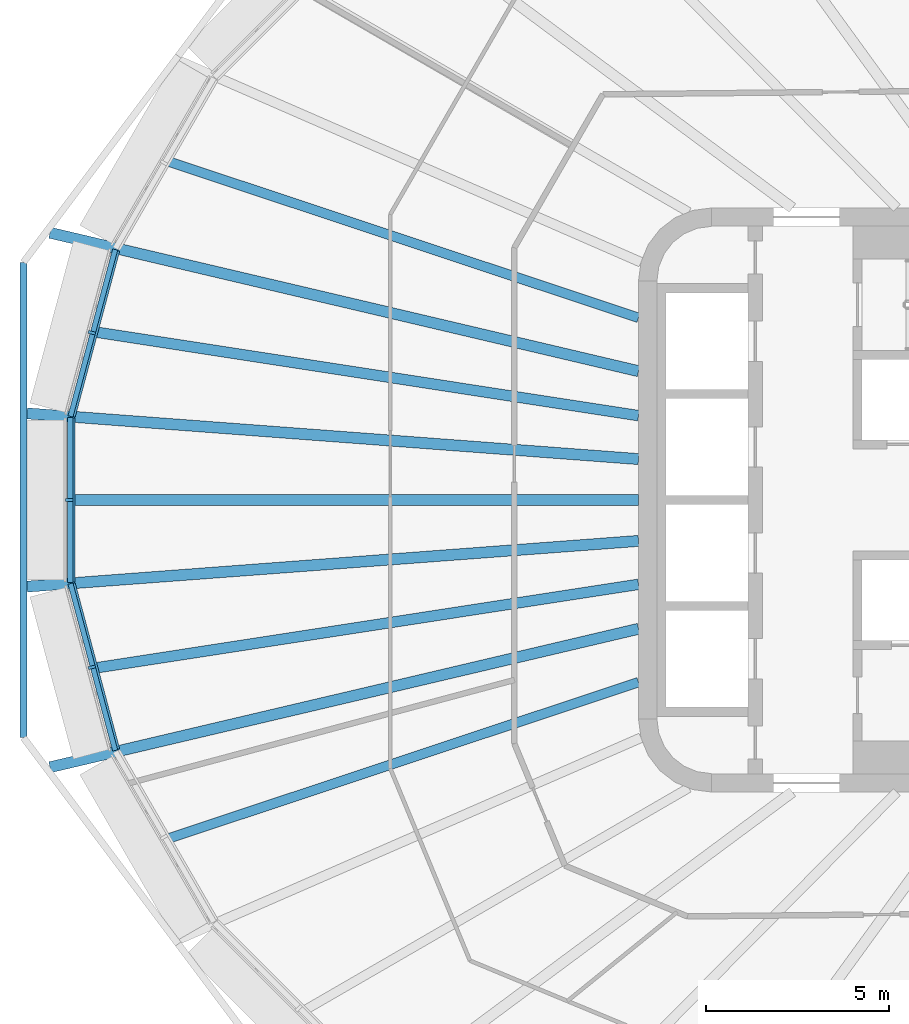
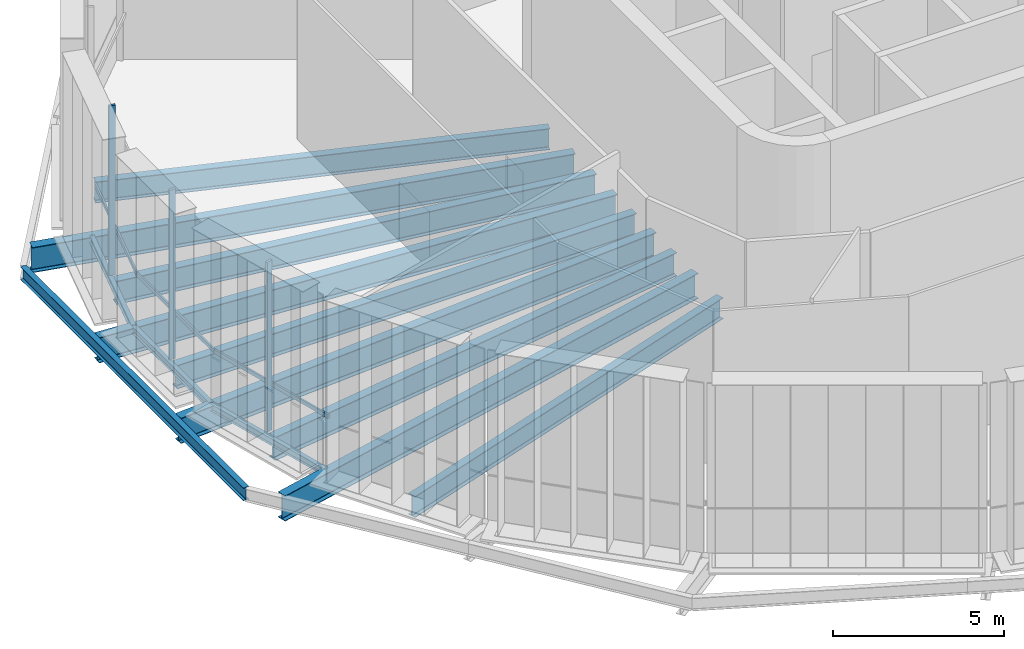
# One storey, part 2 of 18: 13 beams, 6 members, 3 elements without a shape of their own.
"""IFC4 building model written with IfcOpenShell, lengths in metres."""

import ifcopenshell
import ifcopenshell.guid

model = None  # the IFC model being written
_history = None  # IfcOwnerHistory: only IFC2X3 demands one
_inside = {}  # id of a spatial element -> (the spatial element, [elements in it])
_under = {}  # id of a project, library or spatial element -> (it, [spatial elements below it])
_declared = {}  # id of a project -> (the project, [libraries it declares])
_typed = {}  # id of a type object -> (the type object, [elements of that type])
_made_of = {}  # id of a material, layer set ... -> (it, [elements and type objects made of it])


def new_model(schema):
    """Start an empty IFC model of exactly this schema.

    Asked for "IFC4X3", IfcOpenShell would pick the latest addendum, in which some entities
    have other attributes; the version numbers below select the first issue.
    IFC2X3 requires an IfcOwnerHistory on every rooted entity: one is made here for all.
    """
    global model, _history
    if schema == "IFC4X3":
        model = ifcopenshell.file(schema_version=(4, 3, 0, 0))
    else:
        model = ifcopenshell.file(schema=schema)
    _inside.clear()
    _under.clear()
    _declared.clear()
    _typed.clear()
    _made_of.clear()
    _history = None
    if model.schema == "IFC2X3":
        org = make("IfcOrganization", Name="unknown")
        user = make(
            "IfcPersonAndOrganization",
            ThePerson=make("IfcPerson", FamilyName="unknown"),
            TheOrganization=org,
        )
        app = make(
            "IfcApplication",
            ApplicationDeveloper=org,
            Version="unknown",
            ApplicationFullName="unknown",
            ApplicationIdentifier="unknown",
        )
        _history = make(
            "IfcOwnerHistory",
            OwningUser=user,
            OwningApplication=app,
            ChangeAction="ADDED",
            CreationDate=0,
        )
    return model


def make(cls, **values):
    """One entity of the class cls with the attributes given. An attribute that is None is left unset."""
    return model.create_entity(
        cls, **{name: value for name, value in values.items() if value is not None}
    )


def rooted(cls, **values):
    """An entity with a GlobalId (a new one), such as an element, a storey or a relation."""
    return make(cls, GlobalId=ifcopenshell.guid.new(), OwnerHistory=_history, **values)


def si_unit(unit_type, name, prefix=None):
    """IfcSIUnit, for example si_unit("LENGTHUNIT", "METRE", prefix="MILLI")."""
    return make("IfcSIUnit", UnitType=unit_type, Prefix=prefix, Name=name)


def assignment(units):
    """IfcUnitAssignment: the units of a project."""
    return None if units is None else make("IfcUnitAssignment", Units=units)


def point(xyz):
    """IfcCartesianPoint."""
    return None if xyz is None else make("IfcCartesianPoint", Coordinates=xyz)


def direction(xyz):
    """IfcDirection."""
    return None if xyz is None else make("IfcDirection", DirectionRatios=xyz)


def frame(location, z_axis=None, x_axis=None):
    """IfcAxis2Placement3D, a coordinate frame: its origin and axes. An axis left out is left unset."""
    return make(
        "IfcAxis2Placement3D",
        Location=point(location),
        Axis=direction(z_axis),
        RefDirection=direction(x_axis),
    )


def frame_2d(location, x_axis=None):
    """IfcAxis2Placement2D, a coordinate frame in the plane: its origin and x axis."""
    return make(
        "IfcAxis2Placement2D", Location=point(location), RefDirection=direction(x_axis)
    )


def origin():
    """The frame at (0, 0, 0) with its axes left unset."""
    return frame((0.0, 0.0, 0.0))


def origin_2d():
    """The frame at (0, 0) in the plane with its x axis left unset."""
    return frame_2d((0.0, 0.0))


def place(relative_to, where):
    """IfcLocalPlacement: puts the frame where relative to a parent placement (None: the world)."""
    return make(
        "IfcLocalPlacement", PlacementRelTo=relative_to, RelativePlacement=where
    )


def context(
    kind, dimensions, precision=None, world=None, true_north=None, identifier=None
):
    """IfcGeometricRepresentationContext, for example the 3D "Model" context."""
    return make(
        "IfcGeometricRepresentationContext",
        ContextIdentifier=identifier,
        ContextType=kind,
        CoordinateSpaceDimension=dimensions,
        Precision=precision,
        WorldCoordinateSystem=world,
        TrueNorth=true_north,
    )


def subcontext(parent, identifier, kind, view, scale=None):
    """IfcGeometricRepresentationSubContext, for example "Body" below "Model"."""
    return make(
        "IfcGeometricRepresentationSubContext",
        ContextIdentifier=identifier,
        ContextType=kind,
        ParentContext=parent,
        TargetScale=scale,
        TargetView=view,
    )


def project(units=None, contexts=None):
    """IfcProject with its units and contexts."""
    return rooted(
        "IfcProject",
        Name="project",
        RepresentationContexts=contexts,
        UnitsInContext=assignment(units),
    )


def spatial(cls, under=None, at=None, **own):
    """A site, building, storey or space (cls), placed at a placement, below another one or the project."""
    s = rooted(cls, ObjectPlacement=at, **own)
    if under is not None:
        _under.setdefault(under.id(), (under, []))[1].append(s)
    return s


def profile(cls, at=None, kind="AREA", **sizes):
    """A parametric profile (cls). Its sizes go by their IFC names, for example OverallWidth=200.0."""
    return make(cls, ProfileType=kind, Position=at, **sizes)


def rectangle(**sizes):
    """IfcRectangleProfileDef."""
    return profile("IfcRectangleProfileDef", **sizes)


def i_section(**sizes):
    """IfcIShapeProfileDef."""
    return profile("IfcIShapeProfileDef", **sizes)


def extrude(swept, where, along, depth):
    """IfcExtrudedAreaSolid: the profile swept, set in the frame where, extruded along a direction by depth."""
    return make(
        "IfcExtrudedAreaSolid",
        SweptArea=swept,
        Position=where,
        ExtrudedDirection=direction(along),
        Depth=depth,
    )


def shape(context_of_items, identifier, shape_type, items):
    """IfcShapeRepresentation: the items that make up one representation, for example the "Body"."""
    return make(
        "IfcShapeRepresentation",
        ContextOfItems=context_of_items,
        RepresentationIdentifier=identifier,
        RepresentationType=shape_type,
        Items=items,
    )


def material(Name=None, Category=None):
    """IfcMaterial."""
    return make("IfcMaterial", Name=Name, Category=Category)


def layer(
    of_material, thickness, ventilated=None, Name=None, Category=None, Priority=None
):
    """IfcMaterialLayer: one layer of a wall or slab, of a material (None: an air gap)."""
    return make(
        "IfcMaterialLayer",
        Material=of_material,
        LayerThickness=thickness,
        IsVentilated=ventilated,
        Name=Name,
        Category=Category,
        Priority=Priority,
    )


def layer_set(layers, Name=None):
    """IfcMaterialLayerSet."""
    return make("IfcMaterialLayerSet", MaterialLayers=layers, LayerSetName=Name)


def material_profile(
    of_material, cross_section, Name=None, Category=None, Priority=None
):
    """IfcMaterialProfile: a cross section and its material."""
    return make(
        "IfcMaterialProfile",
        Name=Name,
        Material=of_material,
        Profile=cross_section,
        Priority=Priority,
        Category=Category,
    )


def profile_set(profiles, Name=None, composite=None):
    """IfcMaterialProfileSet."""
    return make(
        "IfcMaterialProfileSet",
        Name=Name,
        MaterialProfiles=profiles,
        CompositeProfile=composite,
    )


def made_of(thing, what):
    """Note that an element or type object is made of a material, layer set ...; save() writes the relation."""
    if what is not None:
        _made_of.setdefault(what.id(), (what, []))[1].append(thing)
    return thing


def type_object(cls, material=None, **own):
    """A type object (cls), such as IfcWallType, which elements share."""
    return made_of(rooted(cls, **own), material)


def element(
    cls,
    number,
    at=None,
    inside=None,
    cuts=None,
    type_object=None,
    material=None,
    context=None,
    identifier="Body",
    shape_type=None,
    held_by="IfcProductDefinitionShape",
    body=None,
    shapes=None,
    **own,
):
    """One element of the class cls, such as IfcWall. Its Tag is "e" and its number.

    at: its placement. inside: the storey or other place that contains it. cuts: it is an
    opening in that element (IfcRelVoidsElement). A single representation is given by context,
    identifier, shape_type and body (its items); several are given by shapes. held_by: the class
    of the entity that holds the representations. save() writes the other relations.
    """
    e = rooted(cls, Tag="e%d" % number, ObjectPlacement=at, **own)
    if body is not None:
        shapes = [shape(context, identifier, shape_type, body)]
    if shapes is not None:
        e.Representation = make(held_by, Representations=shapes)
    if inside is not None:
        _inside.setdefault(inside.id(), (inside, []))[1].append(e)
    if cuts is not None:
        rooted(
            "IfcRelVoidsElement", RelatingBuildingElement=cuts, RelatedOpeningElement=e
        )
    if type_object is not None:
        _typed.setdefault(type_object.id(), (type_object, []))[1].append(e)
    return made_of(e, material)


def aggregate(whole, parts):
    """IfcRelAggregates: a whole, such as a stair, and the parts it consists of."""
    return rooted("IfcRelAggregates", RelatingObject=whole, RelatedObjects=parts)


def save(model, path):
    """Write the relations noted so far, then the file.

    IfcRelAggregates (storeys below a building ...), IfcRelContainedInSpatialStructure (elements
    in a storey), IfcRelDefinesByType, IfcRelAssociatesMaterial and IfcRelDeclares: one each for
    every whole, place, type object, material and project.
    """
    for whole, parts in _under.values():
        aggregate(whole, parts)
    for where, things in _inside.values():
        rooted(
            "IfcRelContainedInSpatialStructure",
            RelatedElements=things,
            RelatingStructure=where,
        )
    for kind, things in _typed.values():
        rooted("IfcRelDefinesByType", RelatedObjects=things, RelatingType=kind)
    for what, things in _made_of.values():
        rooted("IfcRelAssociatesMaterial", RelatedObjects=things, RelatingMaterial=what)
    for by, libraries in _declared.values():
        rooted("IfcRelDeclares", RelatingContext=by, RelatedDefinitions=libraries)
    model.write(path)


model = new_model("IFC4")

# Units and contexts
model_context = context("Model", 3, precision=1e-05, world=origin(), true_north=direction((0.0, 1.0)))
body_context = subcontext(model_context, "Body", "Model", "MODEL_VIEW")
ifc_project = project(units=[si_unit("LENGTHUNIT", "METRE"), si_unit("AREAUNIT", "SQUARE_METRE"), si_unit("VOLUMEUNIT", "CUBIC_METRE"), si_unit("PLANEANGLEUNIT", "RADIAN"), si_unit("MASSUNIT", "GRAM", prefix="KILO")], contexts=[model_context])

# Site, building, storey
site_placement = place(None, origin())
site = spatial("IfcSite", under=ifc_project, at=site_placement, CompositionType="ELEMENT")
building_placement = place(site_placement, origin())
building = spatial("IfcBuilding", under=site, at=building_placement, Name="Sahrelin Media Tower", CompositionType="ELEMENT")
storey_placement = place(building_placement, frame((0.0, 0.0, 203.0)))
storey = spatial("IfcBuildingStorey", under=building, at=storey_placement, Name="L43", CompositionType="ELEMENT", Elevation=203.0)

# Beams
ifc_material_1 = material(Name="Steel S355", Category="steel")
ifc_material_profile_1 = material_profile(ifc_material_1, i_section(OverallWidth=0.14599609375, OverallDepth=0.25146484375, WebThickness=0.006103515625, FlangeThickness=0.008544921875, FilletRadius=0.007568359375, at=origin_2d()), Name="UB 254x146x31")
ifc_profile_set_1 = profile_set([ifc_material_profile_1], Name="Steel S355")
beam_type_1 = type_object("IfcBeamType", Name="Edge beam EB1", PredefinedType="BEAM", material=ifc_profile_set_1)
beam_1_placement = place(storey_placement, frame((-29.33447265625, -6.860107421875, -0.32568359375), z_axis=(-0.258792820704, 0.965932852714, 0.0), x_axis=(-0.965932852714, -0.258792820704, 0.0)))
element("IfcBeam", 1, at=beam_1_placement, inside=storey, type_object=beam_type_1, Name="Edge beam L43-12", PredefinedType="BEAM", context=body_context, shape_type="SweptSolid", body=[
    extrude(i_section(OverallWidth=0.14599609375, OverallDepth=0.25146484375, WebThickness=0.006103515625, FlangeThickness=0.008544921875, FilletRadius=0.007568359375, at=origin_2d()), origin(), (0.0, 0.0, 1.0), 4.73193359375),
])
beam_2_placement = place(storey_placement, frame((-30.56298828125, -2.2607421875, -0.32568359375), z_axis=(0.0, 1.0, 0.0), x_axis=(-1.0, 0.0, 0.0)))
element("IfcBeam", 2, at=beam_2_placement, inside=storey, type_object=beam_type_1, Name="Edge beam L43-13", PredefinedType="BEAM", context=body_context, shape_type="SweptSolid", body=[
    extrude(i_section(OverallWidth=0.14599609375, OverallDepth=0.25146484375, WebThickness=0.006103515625, FlangeThickness=0.008544921875, FilletRadius=0.007568359375, at=origin_2d()), origin(), (0.0, 0.0, 1.0), 4.521484375),
])
beam_3_placement = place(storey_placement, frame((-30.55908203125, 2.289306640625, -0.32568359375), z_axis=(0.258792820704, 0.965932852714, 0.0), x_axis=(-0.965932852714, 0.258792820704, 0.0)))
element("IfcBeam", 3, at=beam_3_placement, inside=storey, type_object=beam_type_1, Name="Edge beam L43-14", PredefinedType="BEAM", context=body_context, shape_type="SweptSolid", body=[
    extrude(i_section(OverallWidth=0.14599609375, OverallDepth=0.25146484375, WebThickness=0.006103515625, FlangeThickness=0.008544921875, FilletRadius=0.007568359375, at=origin_2d()), origin(), (0.0, 0.0, 1.0), 4.73193359375),
])

# Curtain wall, member
ifc_material_2 = material(Name="Champagne anodised aluminium 6063-T6", Category="aluminium")
ifc_layer = layer(ifc_material_2, 0.14990234375)
ifc_layer_set = layer_set([ifc_layer], Name="Sky lobby curtain wall")
curtain_wall_type = type_object("IfcCurtainWallType", Name="Sky lobby curtain wall", PredefinedType="NOTDEFINED", material=ifc_layer_set)
curtain_wall_1_placement = place(storey_placement, frame((-30.091796875, 4.613525390625, 0.0), z_axis=(0.0, 0.0, 1.0), x_axis=(1.0, 0.0, 0.0)))
curtain_wall_1 = element("IfcCurtainWall", 4, at=curtain_wall_1_placement, inside=storey, type_object=curtain_wall_type, Name="L43:CW:L43-11", PredefinedType="NOTDEFINED")
ifc_material_profile_2 = material_profile(ifc_material_2, rectangle(XDim=0.080078125, YDim=0.199951171875, at=origin_2d()), Name="Mullion 80x200")
ifc_profile_set_2 = profile_set([ifc_material_profile_2], Name="Champagne anodised aluminium 6063-T6")
member_type_1 = type_object("IfcMemberType", Name="Mullion 80x200 CW2", PredefinedType="MULLION", material=ifc_profile_set_2)
member_1_placement = place(storey_placement, frame((-29.975830078125, 4.58251953125, 0.0), z_axis=(0.0, 0.0, 1.0), x_axis=(-0.258822416818, -0.965924922834, 0.0)))
member_1 = element("IfcMember", 5, at=member_1_placement, type_object=member_type_1, Name="L43:CWM:L43-11", PredefinedType="MULLION", context=body_context, shape_type="SweptSolid", body=[
    extrude(rectangle(XDim=0.080078125, YDim=0.199951171875, at=origin_2d()), origin(), (0.0, 0.0, 1.0), 6.048583984375),
])

curtain_wall_2_placement = place(storey_placement, frame((-30.712890625, 0.0, 0.0), z_axis=(0.0, 0.0, 1.0), x_axis=(1.0, 0.0, 0.0)))
curtain_wall_2 = element("IfcCurtainWall", 6, at=curtain_wall_2_placement, inside=storey, type_object=curtain_wall_type, Name="L43:CW:L43-12", PredefinedType="NOTDEFINED")
member_2_placement = place(storey_placement, frame((-30.593017578125, 0.0, 0.0), z_axis=(0.0, 0.0, 1.0), x_axis=(0.0, -1.0, 0.0)))
member_2 = element("IfcMember", 7, at=member_2_placement, type_object=member_type_1, Name="L43:CWM:L43-12", PredefinedType="MULLION", context=body_context, shape_type="SweptSolid", body=[
    extrude(rectangle(XDim=0.080078125, YDim=0.199951171875, at=origin_2d()), origin(), (0.0, 0.0, 1.0), 6.048583984375),
])

curtain_wall_3_placement = place(storey_placement, frame((-30.091796875, -4.613525390625, 0.0), z_axis=(0.0, 0.0, 1.0), x_axis=(1.0, 0.0, 0.0)))
curtain_wall_3 = element("IfcCurtainWall", 8, at=curtain_wall_3_placement, inside=storey, type_object=curtain_wall_type, Name="L43:CW:L43-13", PredefinedType="NOTDEFINED")
member_3_placement = place(storey_placement, frame((-29.975830078125, -4.58251953125, 0.0), z_axis=(0.0, 0.0, 1.0), x_axis=(0.258822416818, -0.965924922834, 0.0)))
member_3 = element("IfcMember", 9, at=member_3_placement, type_object=member_type_1, Name="L43:CWM:L43-13", PredefinedType="MULLION", context=body_context, shape_type="SweptSolid", body=[
    extrude(rectangle(XDim=0.080078125, YDim=0.199951171875, at=origin_2d()), origin(), (0.0, 0.0, 1.0), 6.048583984375),
])

# Beams
ifc_material_profile_3 = material_profile(ifc_material_1, i_section(OverallWidth=0.30322265625, OverallDepth=0.903076171875, WebThickness=0.01513671875, FlangeThickness=0.020263671875, FilletRadius=0.01904296875, at=origin_2d()), Name="UB 914x305x201")
ifc_profile_set_3 = profile_set([ifc_material_profile_3], Name="Steel S355")
beam_type_2 = type_object("IfcBeamType", Name="Radial primary beam PB11", PredefinedType="BEAM", material=ifc_profile_set_3)
beam_4_placement = place(storey_placement, frame((-15.0, 3.5283203125, -0.651611328125), z_axis=(-0.973430699068, 0.228981820484, 0.0), x_axis=(-0.228981820484, -0.973430699068, 0.0)))
element("IfcBeam", 10, at=beam_4_placement, inside=storey, type_object=beam_type_2, Name="Radial beam L43-11", PredefinedType="BEAM", context=body_context, shape_type="SweptSolid", body=[
    extrude(i_section(OverallWidth=0.30322265625, OverallDepth=0.903076171875, WebThickness=0.01513671875, FlangeThickness=0.020263671875, FilletRadius=0.01904296875, at=origin_2d()), origin(), (0.0, 0.0, 1.0), 16.562255859375),
])
for number, where, z_axis, x_axis, name in (
    (11, (-15.0, 1.120849609375, -0.651611328125), (-0.997219244381, 0.074523678357, 0.0), (-0.074523678357, -0.997219244381, 0.0), "Radial beam L43-12"),
    (12, (-15.0, -1.120849609375, -0.651611328125), (-0.997219244381, -0.074523678357, 0.0), (0.074523678357, -0.997219244381, 0.0), "Radial beam L43-13"),
):
    element("IfcBeam", number, at=place(storey_placement, frame(where, z_axis=z_axis, x_axis=x_axis)), inside=storey, type_object=beam_type_2, Name=name, PredefinedType="BEAM", context=body_context, shape_type="SweptSolid", body=[
        extrude(i_section(OverallWidth=0.30322265625, OverallDepth=0.903076171875, WebThickness=0.01513671875, FlangeThickness=0.020263671875, FilletRadius=0.01904296875, at=origin_2d()), origin(), (0.0, 0.0, 1.0), 16.79931640625),
    ])
beam_5_placement = place(storey_placement, frame((-15.0, -3.5283203125, -0.651611328125), z_axis=(-0.973430699068, -0.228981820484, 0.0), x_axis=(0.228981820484, -0.973430699068, 0.0)))
element("IfcBeam", 13, at=beam_5_placement, inside=storey, type_object=beam_type_2, Name="Radial beam L43-14", PredefinedType="BEAM", context=body_context, shape_type="SweptSolid", body=[
    extrude(i_section(OverallWidth=0.30322265625, OverallDepth=0.903076171875, WebThickness=0.01513671875, FlangeThickness=0.020263671875, FilletRadius=0.01904296875, at=origin_2d()), origin(), (0.0, 0.0, 1.0), 16.562255859375),
])
ifc_material_profile_4 = material_profile(ifc_material_1, i_section(OverallWidth=0.291748046875, OverallDepth=0.8349609375, WebThickness=0.013916015625, FlangeThickness=0.018798828125, FilletRadius=0.017822265625, at=origin_2d()), Name="UB 838x292x176")
ifc_profile_set_4 = profile_set([ifc_material_profile_4], Name="Steel S355")
beam_type_3 = type_object("IfcBeamType", Name="Radial secondary beam SB10", PredefinedType="BEAM", material=ifc_profile_set_4)
beam_6_placement = place(storey_placement, frame((-15.0, 2.31005859375, -0.617431640625), z_axis=(-0.98834747674, 0.152214536829, 0.0), x_axis=(-0.152214536829, -0.98834747674, 0.0)))
element("IfcBeam", 14, at=beam_6_placement, inside=storey, type_object=beam_type_3, Name="Secondary beam L43-11", PredefinedType="BEAM", context=body_context, shape_type="SweptSolid", body=[
    extrude(i_section(OverallWidth=0.291748046875, OverallDepth=0.8349609375, WebThickness=0.013916015625, FlangeThickness=0.018798828125, FilletRadius=0.017822265625, at=origin_2d()), origin(), (0.0, 0.0, 1.0), 15.0400390625),
])
beam_7_placement = place(storey_placement, frame((-15.0, 0.0, -0.617431640625), z_axis=(-1.0, 0.0, 0.0), x_axis=(0.0, -1.0, 0.0)))
element("IfcBeam", 15, at=beam_7_placement, inside=storey, type_object=beam_type_3, Name="Secondary beam L43-12", PredefinedType="BEAM", context=body_context, shape_type="SweptSolid", body=[
    extrude(i_section(OverallWidth=0.291748046875, OverallDepth=0.8349609375, WebThickness=0.013916015625, FlangeThickness=0.018798828125, FilletRadius=0.017822265625, at=origin_2d()), origin(), (0.0, 0.0, 1.0), 15.489990234375),
])
beam_8_placement = place(storey_placement, frame((-15.0, -2.31005859375, -0.617431640625), z_axis=(-0.98834747674, -0.152214536829, 0.0), x_axis=(0.152214536829, -0.98834747674, 0.0)))
element("IfcBeam", 16, at=beam_8_placement, inside=storey, type_object=beam_type_3, Name="Secondary beam L43-13", PredefinedType="BEAM", context=body_context, shape_type="SweptSolid", body=[
    extrude(i_section(OverallWidth=0.291748046875, OverallDepth=0.8349609375, WebThickness=0.013916015625, FlangeThickness=0.018798828125, FilletRadius=0.017822265625, at=origin_2d()), origin(), (0.0, 0.0, 1.0), 15.0400390625),
])
ifc_material_profile_5 = material_profile(ifc_material_1, i_section(OverallWidth=0.26513671875, OverallDepth=0.75390625, WebThickness=0.0126953125, FlangeThickness=0.017578125, FilletRadius=0.0166015625, at=origin_2d()), Name="UB 762x267x147")
ifc_profile_set_5 = profile_set([ifc_material_profile_5], Name="Steel S355")
beam_type_4 = type_object("IfcBeamType", Name="Radial secondary beam SB9", PredefinedType="BEAM", material=ifc_profile_set_5)
for number, where, z_axis, x_axis, name in (
    (17, (-15.0, 4.989990234375, -0.576904296875), (-0.948875953334, 0.315649212236, 0.0), (-0.315649212236, -0.948875953334, 0.0), "Secondary beam L43-10"),
    (18, (-15.0, -4.989990234375, -0.576904296875), (-0.948875953334, -0.315649212236, 0.0), (0.315649212236, -0.948875953334, 0.0), "Secondary beam L43-14"),
):
    element("IfcBeam", number, at=place(storey_placement, frame(where, z_axis=z_axis, x_axis=x_axis)), inside=storey, type_object=beam_type_4, Name=name, PredefinedType="BEAM", context=body_context, shape_type="SweptSolid", body=[
        extrude(i_section(OverallWidth=0.26513671875, OverallDepth=0.75390625, WebThickness=0.0126953125, FlangeThickness=0.017578125, FilletRadius=0.0166015625, at=origin_2d()), origin(), (0.0, 0.0, 1.0), 13.547119140625),
    ])
ifc_material_profile_6 = material_profile(ifc_material_1, i_section(OverallWidth=0.1904296875, OverallDepth=0.45703125, WebThickness=0.009033203125, FlangeThickness=0.014404296875, FilletRadius=0.01025390625, at=origin_2d()), Name="UB 457x191x74")
ifc_profile_set_6 = profile_set([ifc_material_profile_6], Name="Steel S355")
beam_type_5 = type_object("IfcBeamType", Name="Tie chord TC5", PredefinedType="BEAM", material=ifc_profile_set_6)
beam_9_placement = place(storey_placement, frame((-31.847900390625, -6.51220703125, -0.428466796875), z_axis=(0.0, 1.0, 0.0), x_axis=(-1.0, 0.0, 0.0)))
element("IfcBeam", 19, at=beam_9_placement, inside=storey, type_object=beam_type_5, Name="Tie chord L43-11", PredefinedType="BEAM", context=body_context, shape_type="SweptSolid", body=[
    extrude(i_section(OverallWidth=0.1904296875, OverallDepth=0.45703125, WebThickness=0.009033203125, FlangeThickness=0.014404296875, FilletRadius=0.01025390625, at=origin_2d()), origin(), (0.0, 0.0, 1.0), 13.0244140625),
])

# Member
ifc_material_profile_7 = material_profile(ifc_material_2, rectangle(XDim=0.06005859375, YDim=0.139892578125, at=origin_2d()), Name="Transom 60x140")
ifc_profile_set_7 = profile_set([ifc_material_profile_7], Name="Champagne anodised aluminium 6063-T6")
member_type_2 = type_object("IfcMemberType", Name="Transom 60x140 CW2", PredefinedType="USERDEFINED", material=ifc_profile_set_7)
member_4_placement = place(storey_placement, frame((-29.241943359375, 6.819091796875, 1.60009765625), z_axis=(-0.258816567232, -0.965926490229, 0.0), x_axis=(0.965926490229, -0.258816567232, 0.0)))
member_4 = element("IfcMember", 20, at=member_4_placement, type_object=member_type_2, Name="L43:CWT:L43-11", ObjectType="TRANSOM", PredefinedType="USERDEFINED", context=body_context, shape_type="SweptSolid", body=[
    extrude(rectangle(XDim=0.06005859375, YDim=0.139892578125, at=origin_2d()), origin(), (0.0, 0.0, 1.0), 4.700439453125),
])

aggregate(curtain_wall_1, [member_1, member_4])

member_5_placement = place(storey_placement, frame((-30.462890625, 2.2451171875, 1.60009765625), z_axis=(0.0, -1.0, 0.0), x_axis=(1.0, 0.0, 0.0)))
member_5 = element("IfcMember", 21, at=member_5_placement, type_object=member_type_2, Name="L43:CWT:L43-12", ObjectType="TRANSOM", PredefinedType="USERDEFINED", context=body_context, shape_type="SweptSolid", body=[
    extrude(rectangle(XDim=0.06005859375, YDim=0.139892578125, at=origin_2d()), origin(), (0.0, 0.0, 1.0), 4.490234375),
])

aggregate(curtain_wall_2, [member_2, member_5])

member_6_placement = place(storey_placement, frame((-30.45849609375, -2.27880859375, 1.60009765625), z_axis=(0.258816567232, -0.965926490229, 0.0), x_axis=(0.965926490229, 0.258816567232, 0.0)))
member_6 = element("IfcMember", 22, at=member_6_placement, type_object=member_type_2, Name="L43:CWT:L43-13", ObjectType="TRANSOM", PredefinedType="USERDEFINED", context=body_context, shape_type="SweptSolid", body=[
    extrude(rectangle(XDim=0.06005859375, YDim=0.139892578125, at=origin_2d()), origin(), (0.0, 0.0, 1.0), 4.700439453125),
])

aggregate(curtain_wall_3, [member_3, member_6])

save(model, "model.ifc")
